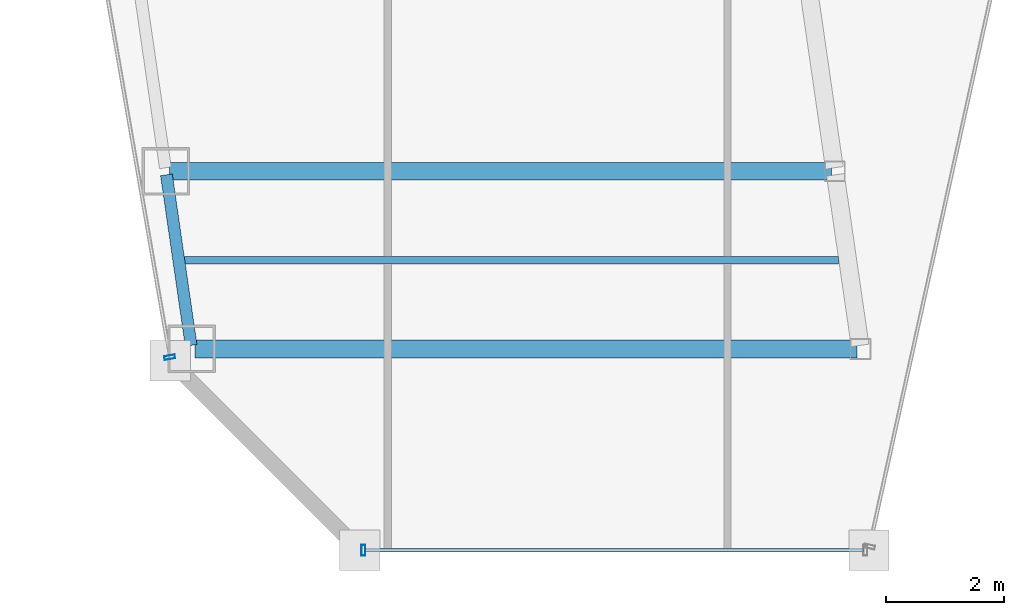
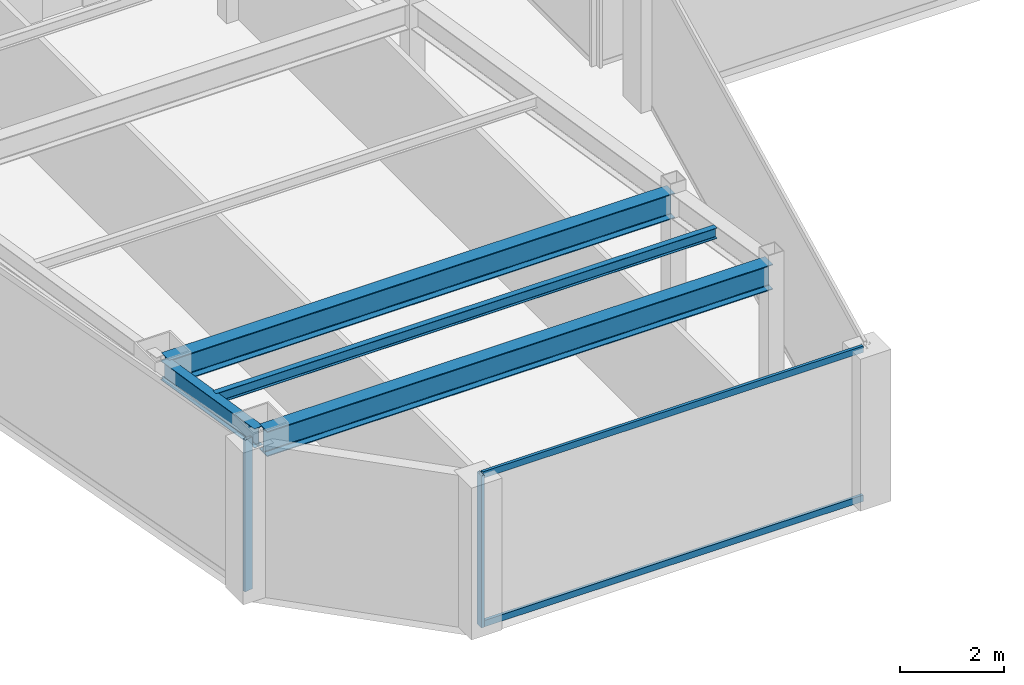
# One storey, part 3 of 32: 4 beams, 4 members, 2 elements without a shape of their own.
"""IFC4 building model written with IfcOpenShell, lengths in metres."""

from ifc_helpers import new_model, si_unit, direction, frame, origin, origin_2d, place, context, subcontext, project, spatial, hollow_rectangle, i_section, extrude, material, material_profile, profile_set, type_object, element, aggregate, save


model = new_model("IFC4")

# Units and contexts
model_context = context("Model", 3, precision=1e-05, world=origin(), true_north=direction((0.0, 1.0)))
body_context = subcontext(model_context, "Body", "Model", "MODEL_VIEW")
ifc_project = project(units=[si_unit("LENGTHUNIT", "METRE"), si_unit("AREAUNIT", "SQUARE_METRE"), si_unit("VOLUMEUNIT", "CUBIC_METRE"), si_unit("PLANEANGLEUNIT", "RADIAN"), si_unit("MASSUNIT", "GRAM", prefix="KILO")], contexts=[model_context])

# Site, building, storey
site_placement = place(None, origin())
site = spatial("IfcSite", under=ifc_project, at=site_placement, CompositionType="ELEMENT")
building_placement = place(site_placement, origin())
building = spatial("IfcBuilding", under=site, at=building_placement, Name="Saevonmaru Cultural Tower", CompositionType="ELEMENT")
storey_placement = place(building_placement, frame((0.0, 0.0, 242.0)))
storey = spatial("IfcBuildingStorey", under=building, at=storey_placement, Name="L56", CompositionType="ELEMENT", Elevation=242.0)

# Beams
ifc_material_1 = material(Name="Steel SM355", Category="steel")
ifc_material_profile_1 = material_profile(ifc_material_1, i_section(OverallWidth=0.300048828125, OverallDepth=0.587890625, WebThickness=0.011962890625, FlangeThickness=0.02001953125, FilletRadius=0.02392578125, at=origin_2d()), Name="H-588x300x12x20")
ifc_profile_set_1 = profile_set([ifc_material_profile_1], Name="Steel SM355")
beam_type_1 = type_object("IfcBeamType", Name="BM-G-H588", PredefinedType="BEAM", material=ifc_profile_set_1)
for number, where, z_axis, x_axis, name in (
    (1, (9.966064453125, 21.0, 3.256103515625), (1.0, 0.0, 0.0), (0.0, 1.0, 0.0), "L56 West Wing Transverse Girder 1"),
    (2, (9.531982421875, 24.0, 3.256103515625), (1.0, 0.0, 0.0), (0.0, 1.0, 0.0), "L56 West Wing Transverse Girder 2"),
):
    element("IfcBeam", number, at=place(storey_placement, frame(where, z_axis=z_axis, x_axis=x_axis)), inside=storey, type_object=beam_type_1, Name=name, PredefinedType="BEAM", context=body_context, shape_type="SweptSolid", body=[
        extrude(i_section(OverallWidth=0.300048828125, OverallDepth=0.587890625, WebThickness=0.011962890625, FlangeThickness=0.02001953125, FilletRadius=0.02392578125, at=origin_2d()), origin(), (0.0, 0.0, 1.0), 11.179931640625),
    ])
ifc_material_profile_2 = material_profile(ifc_material_1, i_section(OverallWidth=0.125, OverallDepth=0.25, WebThickness=0.006103515625, FlangeThickness=0.009033203125, FilletRadius=0.008056640625, at=origin_2d()), Name="H-250x125x6x9")
ifc_profile_set_2 = profile_set([ifc_material_profile_2], Name="Steel SM355")
beam_type_2 = type_object("IfcBeamType", Name="BM-J-H250", PredefinedType="JOIST", material=ifc_profile_set_2)
beam_1_placement = place(storey_placement, frame((9.7490234375, 22.5, 3.425048828125), z_axis=(1.0, 0.0, 0.0), x_axis=(0.0, 1.0, 0.0)))
element("IfcBeam", 3, at=beam_1_placement, inside=storey, type_object=beam_type_2, Name="L56 West Wing Floor Joist 1", PredefinedType="JOIST", context=body_context, shape_type="SweptSolid", body=[
    extrude(i_section(OverallWidth=0.125, OverallDepth=0.25, WebThickness=0.006103515625, FlangeThickness=0.009033203125, FilletRadius=0.008056640625, at=origin_2d()), origin(), (0.0, 0.0, 1.0), 11.08203125),
])
ifc_material_profile_3 = material_profile(ifc_material_1, i_section(OverallWidth=0.199951171875, OverallDepth=0.449951171875, WebThickness=0.009033203125, FlangeThickness=0.013916015625, FilletRadius=0.01806640625, at=origin_2d()), Name="H-450x200x9x14")
ifc_profile_set_3 = profile_set([ifc_material_profile_3], Name="Steel SM355")
beam_type_3 = type_object("IfcBeamType", Name="BM-SP-H450", PredefinedType="SPANDREL", material=ifc_profile_set_3)
beam_2_placement = place(storey_placement, frame((9.8974609375, 21.059326171875, 3.324951171875), z_axis=(-0.143146955239, 0.98970144448, 0.0), x_axis=(-0.98970144448, -0.143146955239, 0.0)))
element("IfcBeam", 4, at=beam_2_placement, inside=storey, type_object=beam_type_3, Name="L56 West Splayed Spandrel 1", PredefinedType="SPANDREL", context=body_context, shape_type="SweptSolid", body=[
    extrude(i_section(OverallWidth=0.199951171875, OverallDepth=0.449951171875, WebThickness=0.009033203125, FlangeThickness=0.013916015625, FilletRadius=0.01806640625, at=origin_2d()), origin(), (0.0, 0.0, 1.0), 2.911376953125),
])

# Curtain wall, member
ifc_material_2 = material(Name="Satin Bronze Anodised Aluminium", Category="aluminium")
curtain_wall_type = type_object("IfcCurtainWallType", Name="CW-TYP-B", PredefinedType="NOTDEFINED", material=ifc_material_2)
curtain_wall_1_placement = place(storey_placement, origin())
curtain_wall_1 = element("IfcCurtainWall", 5, at=curtain_wall_1_placement, inside=storey, type_object=curtain_wall_type, Name="L56 Unitised Curtain Wall E2", PredefinedType="NOTDEFINED")
ifc_material_profile_4 = material_profile(ifc_material_2, hollow_rectangle(XDim=0.06494140625, YDim=0.179931640625, WallThickness=0.00390625, at=origin_2d()), Name="ALU-MULL-180x65x4")
ifc_profile_set_4 = profile_set([ifc_material_profile_4], Name="Satin Bronze Anodised Aluminium")
member_type_1 = type_object("IfcMemberType", Name="ML-CW-180x65", PredefinedType="MULLION", material=ifc_profile_set_4)
member_1_placement = place(storey_placement, frame((12.806640625, 17.60009765625, 0.0), z_axis=(0.0, 0.0, 1.0), x_axis=(1.0, 0.0, 0.0)))
member_1 = element("IfcMember", 6, at=member_1_placement, type_object=member_type_1, Name="CW-TW-L56-E2 mullion 1", PredefinedType="MULLION", context=body_context, shape_type="SweptSolid", body=[
    extrude(hollow_rectangle(XDim=0.06494140625, YDim=0.179931640625, WallThickness=0.00390625, at=origin_2d()), origin(), (0.0, 0.0, 1.0), 3.550048828125),
])

curtain_wall_2_placement = place(storey_placement, origin())
curtain_wall_2 = element("IfcCurtainWall", 7, at=curtain_wall_2_placement, inside=storey, type_object=curtain_wall_type, Name="L56 Unitised Curtain Wall E12", PredefinedType="NOTDEFINED")
member_2_placement = place(storey_placement, frame((9.53662109375, 20.859130859375, 0.0), z_axis=(0.0, 0.0, 1.0), x_axis=(0.170790369887, -0.985307388359, 0.0)))
member_2 = element("IfcMember", 8, at=member_2_placement, type_object=member_type_1, Name="CW-TW-L56-E12 mullion 4", PredefinedType="MULLION", context=body_context, shape_type="SweptSolid", body=[
    extrude(hollow_rectangle(XDim=0.06494140625, YDim=0.179931640625, WallThickness=0.00390625, at=origin_2d()), origin(), (0.0, 0.0, 1.0), 3.550048828125),
])
aggregate(curtain_wall_2, [member_2])

# Member
ifc_material_profile_5 = material_profile(ifc_material_2, hollow_rectangle(XDim=0.06494140625, YDim=0.14990234375, WallThickness=0.00390625, at=origin_2d()), Name="ALU-TRAN-150x65x4")
ifc_profile_set_5 = profile_set([ifc_material_profile_5], Name="Satin Bronze Anodised Aluminium")
member_type_2 = type_object("IfcMemberType", Name="TR-CW-150x65", PredefinedType="USERDEFINED", material=ifc_profile_set_5)
member_3_placement = place(storey_placement, frame((12.839111328125, 17.60009765625, 0.032470703125), z_axis=(1.0, 0.0, 0.0), x_axis=(0.0, 1.0, 0.0)))
member_3 = element("IfcMember", 9, at=member_3_placement, type_object=member_type_2, Name="CW-TW-L56-E2 transom 1.1", ObjectType="TRANSOM", PredefinedType="USERDEFINED", context=body_context, shape_type="SweptSolid", body=[
    extrude(hollow_rectangle(XDim=0.06494140625, YDim=0.14990234375, WallThickness=0.00390625, at=origin_2d()), origin(), (0.0, 0.0, 1.0), 8.4150390625),
])

member_4_placement = place(storey_placement, frame((12.839111328125, 17.60009765625, 3.517578125), z_axis=(1.0, 0.0, 0.0), x_axis=(0.0, 1.0, 0.0)))
member_4 = element("IfcMember", 10, at=member_4_placement, type_object=member_type_2, Name="CW-TW-L56-E2 transom 1.2", ObjectType="TRANSOM", PredefinedType="USERDEFINED", context=body_context, shape_type="SweptSolid", body=[
    extrude(hollow_rectangle(XDim=0.06494140625, YDim=0.14990234375, WallThickness=0.00390625, at=origin_2d()), origin(), (0.0, 0.0, 1.0), 8.4150390625),
])

aggregate(curtain_wall_1, [member_1, member_3, member_4])

save(model, "model.ifc")
